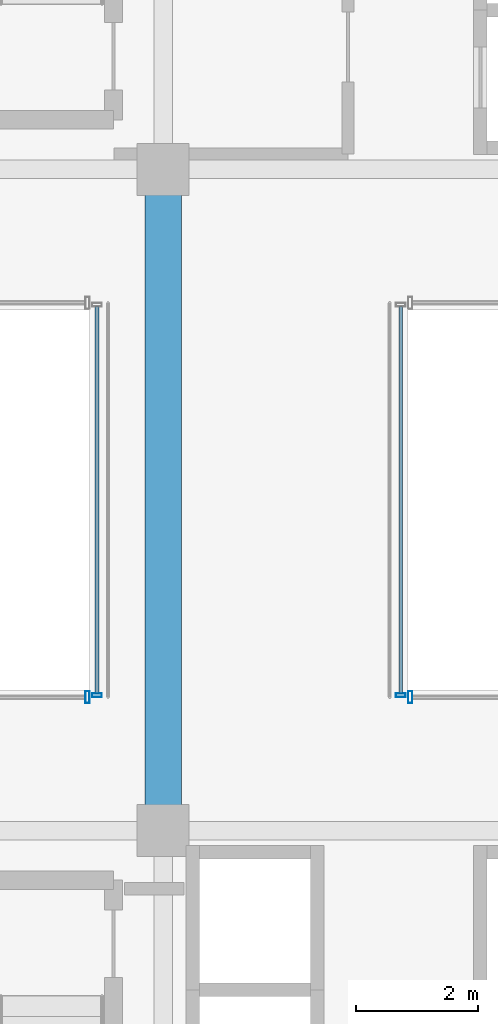
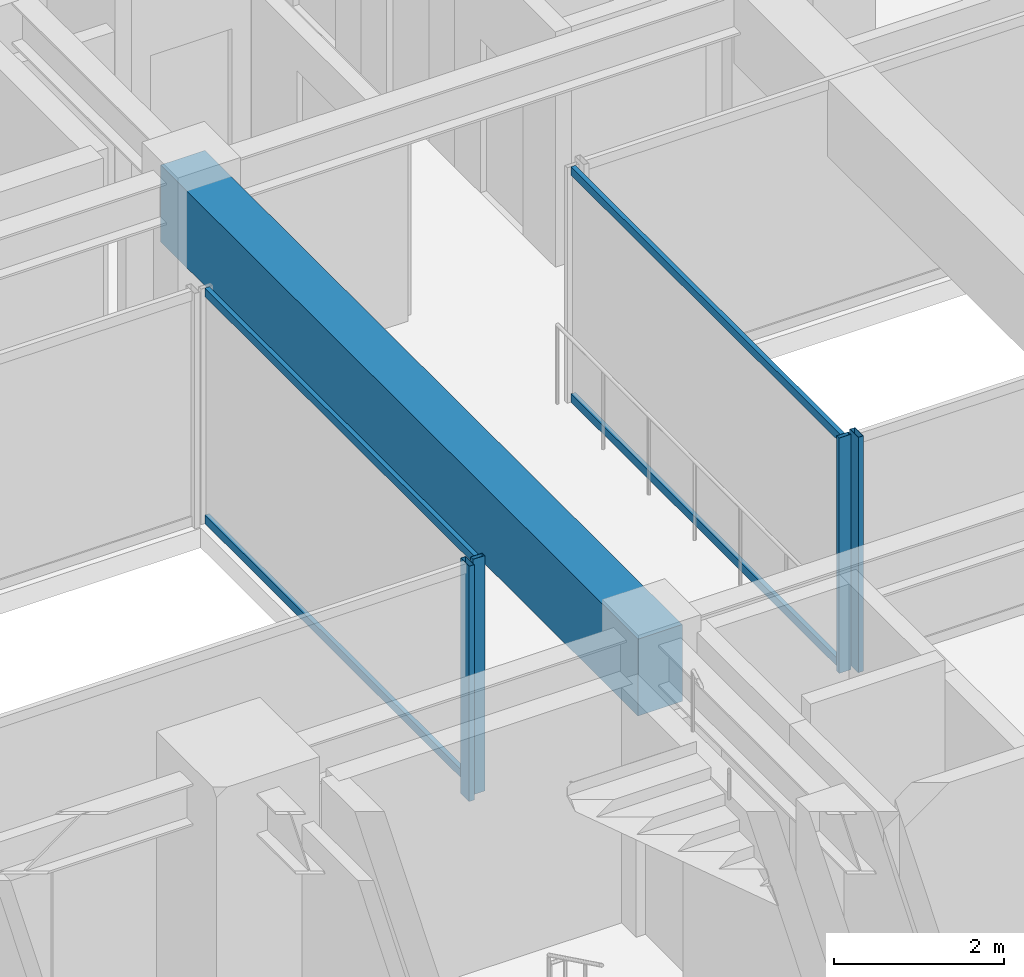
# One storey, part 16 of 43: 8 members, 1 beam, 4 elements without a shape of their own.
"""IFC4 building model written with IfcOpenShell, lengths in metres."""

from ifc_helpers import new_model, si_unit, direction, frame, origin, origin_2d, place, context, subcontext, project, spatial, rectangle, hollow_rectangle, extrude, source, transform, mapped, material, material_profile, profile_set, type_object, element, aggregate, save


model = new_model("IFC4")

# Units and contexts
model_context = context("Model", 3, precision=1e-05, world=origin(), true_north=direction((0.0, 1.0)))
body_context = subcontext(model_context, "Body", "Model", "MODEL_VIEW")
ifc_project = project(units=[si_unit("LENGTHUNIT", "METRE"), si_unit("AREAUNIT", "SQUARE_METRE"), si_unit("VOLUMEUNIT", "CUBIC_METRE"), si_unit("PLANEANGLEUNIT", "RADIAN"), si_unit("MASSUNIT", "GRAM", prefix="KILO")], contexts=[model_context])

# Site, building, storey
site_placement = place(None, origin())
site = spatial("IfcSite", under=ifc_project, at=site_placement, CompositionType="ELEMENT")
building_placement = place(site_placement, origin())
building = spatial("IfcBuilding", under=site, at=building_placement, Name="Nahalor Promenade Grand Hotel", CompositionType="ELEMENT")
storey_placement = place(building_placement, frame((0.0, 0.0, 57.949951171875)))
storey = spatial("IfcBuildingStorey", under=building, at=storey_placement, Name="L13", CompositionType="ELEMENT", Elevation=57.949951171875)

# Beam
ifc_material_1 = material(Name="Concrete B-60 (C50/60)", Category="concrete")
ifc_material_profile_1 = material_profile(ifc_material_1, rectangle(XDim=0.6, YDim=1.1, at=origin_2d()), Name="RC 600x1100")
ifc_profile_set_1 = profile_set([ifc_material_profile_1], Name="Concrete B-60 (C50/60)")
beam_type = type_object("IfcBeamType", Name="Beam-Lintel-RC1100", PredefinedType="LINTEL", material=ifc_profile_set_1)
shared_shape_1 = source(origin(), body_context, "Body", "SweptSolid", [
    extrude(rectangle(XDim=0.6, YDim=1.1, at=origin_2d()), origin(), (0.0, 0.0, 1.0), 11.2001953125),
])
beam_placement = place(storey_placement, frame((8.39990234375, -5.60009765625, 2.820068359375), z_axis=(0.0, 1.0, 0.0), x_axis=(-1.0, 0.0, 0.0)))
element("IfcBeam", 1, at=beam_placement, inside=storey, type_object=beam_type, Name="BM-L13-LINT-W", PredefinedType="LINTEL", context=body_context, shape_type="MappedRepresentation", body=[
    mapped(shared_shape_1, transform((0.0, 0.0, 0.0), scale=1.0)),
])

# Curtain wall, member
ifc_material_2 = material(Name="Anodised Bronze Aluminium EN AW-6063 T6", Category="aluminium")
curtain_wall_type_1 = type_object("IfcCurtainWallType", Name="CW3 Elliptical-Void Collar Unitised Curtain Wall", PredefinedType="USERDEFINED", material=ifc_material_2)
curtain_wall_1_placement = place(storey_placement, origin())
curtain_wall_1 = element("IfcCurtainWall", 2, at=curtain_wall_1_placement, inside=storey, type_object=curtain_wall_type_1, Name="L13 Curtain Wall CW-L13-VOID-WS1", ObjectType="UNITISED_CURTAIN_WALL", PredefinedType="USERDEFINED")
ifc_material_profile_2 = material_profile(ifc_material_2, hollow_rectangle(XDim=0.07, YDim=0.2, WallThickness=0.005, at=origin_2d()), Name="CWM 70x200x5")
ifc_profile_set_2 = profile_set([ifc_material_profile_2], Name="Anodised Bronze Aluminium EN AW-6063 T6")
member_type_1 = type_object("IfcMemberType", Name="CWM3 Void Collar Mullion 70x200", PredefinedType="MULLION", material=ifc_profile_set_2)
shared_shape_2 = source(origin(), body_context, "Body", "SweptSolid", [
    extrude(hollow_rectangle(XDim=0.07, YDim=0.2, WallThickness=0.005, at=origin_2d()), origin(), (0.0, 0.0, 1.0), 3.3701171875),
])
member_1_placement = place(storey_placement, frame((7.1650390625, -3.219970703125, 0.0), z_axis=(0.0, 0.0, 1.0), x_axis=(1.0, 0.0, 0.0)))
member_1 = element("IfcMember", 3, at=member_1_placement, type_object=member_type_1, Name="CW-L13-VOID-WS1 Mullion 3", PredefinedType="MULLION", context=body_context, shape_type="MappedRepresentation", body=[
    mapped(shared_shape_2, transform((0.0, 0.0, 0.0), scale=1.0)),
])
aggregate(curtain_wall_1, [member_1])

curtain_wall_2_placement = place(storey_placement, origin())
curtain_wall_2 = element("IfcCurtainWall", 4, at=curtain_wall_2_placement, inside=storey, type_object=curtain_wall_type_1, Name="L13 Curtain Wall CW-L13-VOID-ES1", ObjectType="UNITISED_CURTAIN_WALL", PredefinedType="USERDEFINED")
member_2_placement = place(storey_placement, frame((12.43505859375, -3.219970703125, 0.0), z_axis=(0.0, 0.0, 1.0), x_axis=(1.0, 0.0, 0.0)))
member_2 = element("IfcMember", 5, at=member_2_placement, type_object=member_type_1, Name="CW-L13-VOID-ES1 Mullion 0", PredefinedType="MULLION", context=body_context, shape_type="MappedRepresentation", body=[
    mapped(shared_shape_2, transform((0.0, 0.0, 0.0), scale=1.0)),
])
aggregate(curtain_wall_2, [member_2])

curtain_wall_type_2 = type_object("IfcCurtainWallType", Name="CW4 Low-Iron Sky-Gallery Bridge Curtain Wall", PredefinedType="USERDEFINED", material=ifc_material_2)
curtain_wall_3_placement = place(storey_placement, origin())
curtain_wall_3 = element("IfcCurtainWall", 6, at=curtain_wall_3_placement, inside=storey, type_object=curtain_wall_type_2, Name="L13 Curtain Wall CW-L13-BRG-W", ObjectType="UNITISED_CURTAIN_WALL", PredefinedType="USERDEFINED")
ifc_material_profile_3 = material_profile(ifc_material_2, hollow_rectangle(XDim=0.06, YDim=0.16, WallThickness=0.004, at=origin_2d()), Name="CWM 60x160x4")
ifc_profile_set_3 = profile_set([ifc_material_profile_3], Name="Anodised Bronze Aluminium EN AW-6063 T6")
member_type_2 = type_object("IfcMemberType", Name="CWM4 Sky-Gallery Slim Mullion 60x160", PredefinedType="MULLION", material=ifc_profile_set_3)
shared_shape_3 = source(origin(), body_context, "Body", "SweptSolid", [
    extrude(hollow_rectangle(XDim=0.06, YDim=0.16, WallThickness=0.004, at=origin_2d()), origin(), (0.0, 0.0, 1.0), 3.3701171875),
])
member_3_placement = place(storey_placement, frame((7.320068359375, -3.18994140625, 0.0), z_axis=(0.0, 0.0, 1.0), x_axis=(0.0, 1.0, 0.0)))
member_3 = element("IfcMember", 7, at=member_3_placement, type_object=member_type_2, Name="CW-L13-BRG-W Mullion 0", PredefinedType="MULLION", context=body_context, shape_type="MappedRepresentation", body=[
    mapped(shared_shape_3, transform((0.0, 0.0, 0.0), scale=1.0)),
])

curtain_wall_4_placement = place(storey_placement, origin())
curtain_wall_4 = element("IfcCurtainWall", 8, at=curtain_wall_4_placement, inside=storey, type_object=curtain_wall_type_2, Name="L13 Curtain Wall CW-L13-BRG-E", ObjectType="UNITISED_CURTAIN_WALL", PredefinedType="USERDEFINED")
member_4_placement = place(storey_placement, frame((12.280029296875, -3.18994140625, 0.0), z_axis=(0.0, 0.0, 1.0), x_axis=(0.0, 1.0, 0.0)))
member_4 = element("IfcMember", 9, at=member_4_placement, type_object=member_type_2, Name="CW-L13-BRG-E Mullion 0", PredefinedType="MULLION", context=body_context, shape_type="MappedRepresentation", body=[
    mapped(shared_shape_3, transform((0.0, 0.0, 0.0), scale=1.0)),
])

# Member
ifc_material_profile_4 = material_profile(ifc_material_2, hollow_rectangle(XDim=0.06, YDim=0.12, WallThickness=0.004, at=origin_2d()), Name="CWT 60x120x4")
ifc_profile_set_4 = profile_set([ifc_material_profile_4], Name="Anodised Bronze Aluminium EN AW-6063 T6")
member_type_3 = type_object("IfcMemberType", Name="CWT4 Sky-Gallery Slim Transom 60x120", PredefinedType="USERDEFINED", material=ifc_profile_set_4)
shared_shape_4 = source(origin(), body_context, "Body", "SweptSolid", [
    extrude(hollow_rectangle(XDim=0.06, YDim=0.12, WallThickness=0.004, at=origin_2d()), origin(), (0.0, 0.0, 1.0), 6.31982421875),
])
member_5_placement = place(storey_placement, frame((7.320068359375, -3.159912109375, 0.06005859375), z_axis=(0.0, 1.0, 0.0), x_axis=(-1.0, 0.0, 0.0)))
member_5 = element("IfcMember", 10, at=member_5_placement, type_object=member_type_3, Name="CW-L13-BRG-W Transom 0-0", ObjectType="TRANSOM", PredefinedType="USERDEFINED", context=body_context, shape_type="MappedRepresentation", body=[
    mapped(shared_shape_4, transform((0.0, 0.0, 0.0), scale=1.0)),
])

member_6_placement = place(storey_placement, frame((7.320068359375, -3.159912109375, 3.31005859375), z_axis=(0.0, 1.0, 0.0), x_axis=(-1.0, 0.0, 0.0)))
member_6 = element("IfcMember", 11, at=member_6_placement, type_object=member_type_3, Name="CW-L13-BRG-W Transom 0-1", ObjectType="TRANSOM", PredefinedType="USERDEFINED", context=body_context, shape_type="MappedRepresentation", body=[
    mapped(shared_shape_4, transform((0.0, 0.0, 0.0), scale=1.0)),
])

aggregate(curtain_wall_3, [member_3, member_5, member_6])

member_7_placement = place(storey_placement, frame((12.280029296875, -3.159912109375, 0.06005859375), z_axis=(0.0, 1.0, 0.0), x_axis=(-1.0, 0.0, 0.0)))
member_7 = element("IfcMember", 12, at=member_7_placement, type_object=member_type_3, Name="CW-L13-BRG-E Transom 0-0", ObjectType="TRANSOM", PredefinedType="USERDEFINED", context=body_context, shape_type="MappedRepresentation", body=[
    mapped(shared_shape_4, transform((0.0, 0.0, 0.0), scale=1.0)),
])

member_8_placement = place(storey_placement, frame((12.280029296875, -3.159912109375, 3.31005859375), z_axis=(0.0, 1.0, 0.0), x_axis=(-1.0, 0.0, 0.0)))
member_8 = element("IfcMember", 13, at=member_8_placement, type_object=member_type_3, Name="CW-L13-BRG-E Transom 0-1", ObjectType="TRANSOM", PredefinedType="USERDEFINED", context=body_context, shape_type="MappedRepresentation", body=[
    mapped(shared_shape_4, transform((0.0, 0.0, 0.0), scale=1.0)),
])

aggregate(curtain_wall_4, [member_4, member_7, member_8])

save(model, "model.ifc")
